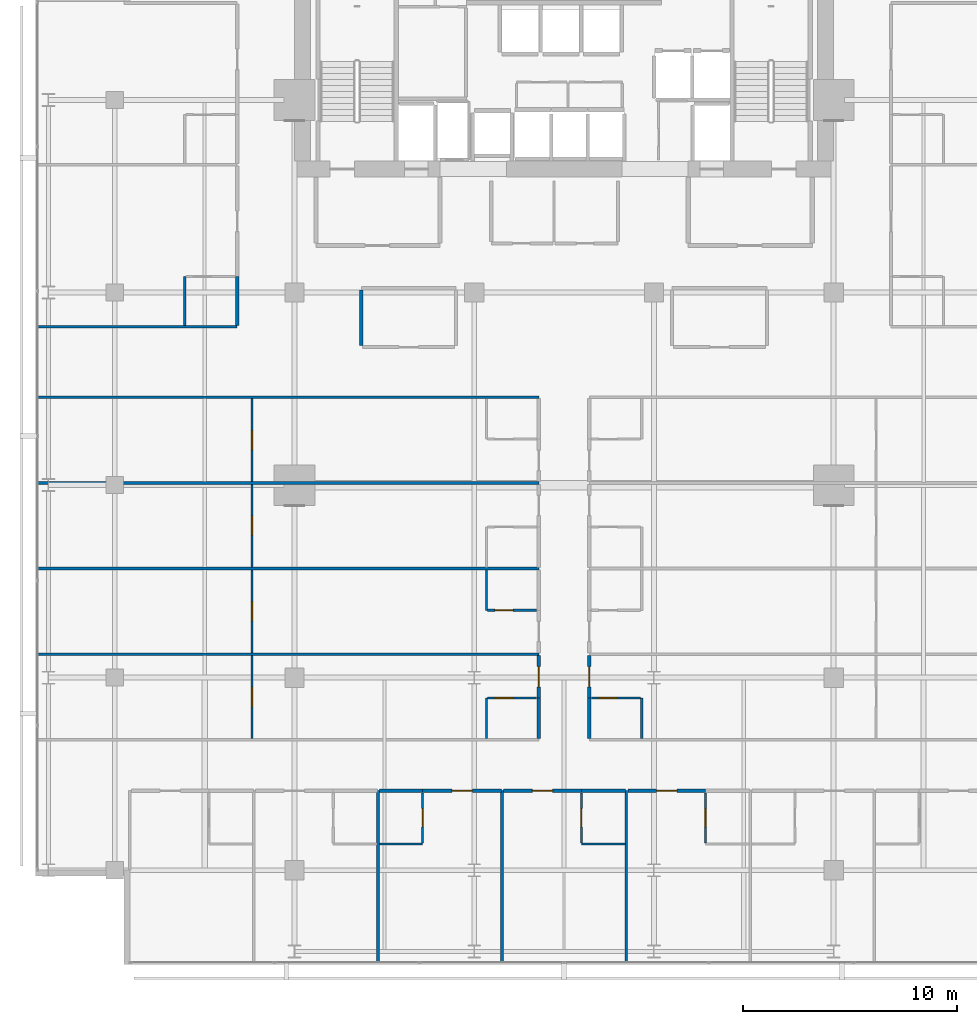
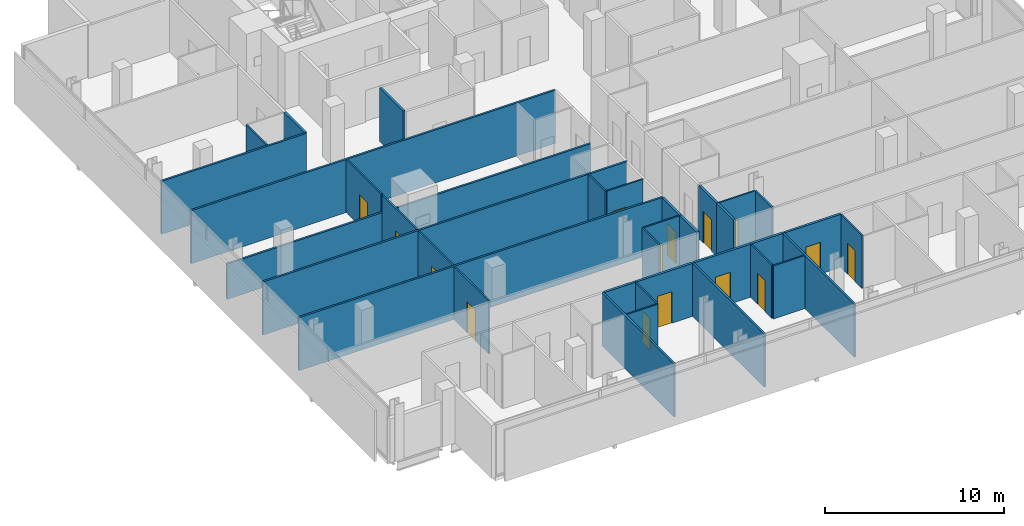
# One storey, part 27 of 34: 35 walls, 15 doors, 15 openings.
"""IFC4 building model written with IfcOpenShell, lengths in metres."""

import ifcopenshell
import ifcopenshell.guid

model = None  # the IFC model being written
_history = None  # IfcOwnerHistory: only IFC2X3 demands one
_inside = {}  # id of a spatial element -> (the spatial element, [elements in it])
_under = {}  # id of a project, library or spatial element -> (it, [spatial elements below it])
_declared = {}  # id of a project -> (the project, [libraries it declares])
_typed = {}  # id of a type object -> (the type object, [elements of that type])
_made_of = {}  # id of a material, layer set ... -> (it, [elements and type objects made of it])


def new_model(schema):
    """Start an empty IFC model of exactly this schema.

    Asked for "IFC4X3", IfcOpenShell would pick the latest addendum, in which some entities
    have other attributes; the version numbers below select the first issue.
    IFC2X3 requires an IfcOwnerHistory on every rooted entity: one is made here for all.
    """
    global model, _history
    if schema == "IFC4X3":
        model = ifcopenshell.file(schema_version=(4, 3, 0, 0))
    else:
        model = ifcopenshell.file(schema=schema)
    _inside.clear()
    _under.clear()
    _declared.clear()
    _typed.clear()
    _made_of.clear()
    _history = None
    if model.schema == "IFC2X3":
        org = make("IfcOrganization", Name="unknown")
        user = make(
            "IfcPersonAndOrganization",
            ThePerson=make("IfcPerson", FamilyName="unknown"),
            TheOrganization=org,
        )
        app = make(
            "IfcApplication",
            ApplicationDeveloper=org,
            Version="unknown",
            ApplicationFullName="unknown",
            ApplicationIdentifier="unknown",
        )
        _history = make(
            "IfcOwnerHistory",
            OwningUser=user,
            OwningApplication=app,
            ChangeAction="ADDED",
            CreationDate=0,
        )
    return model


def make(cls, **values):
    """One entity of the class cls with the attributes given. An attribute that is None is left unset."""
    return model.create_entity(
        cls, **{name: value for name, value in values.items() if value is not None}
    )


def rooted(cls, **values):
    """An entity with a GlobalId (a new one), such as an element, a storey or a relation."""
    return make(cls, GlobalId=ifcopenshell.guid.new(), OwnerHistory=_history, **values)


def si_unit(unit_type, name, prefix=None):
    """IfcSIUnit, for example si_unit("LENGTHUNIT", "METRE", prefix="MILLI")."""
    return make("IfcSIUnit", UnitType=unit_type, Prefix=prefix, Name=name)


def assignment(units):
    """IfcUnitAssignment: the units of a project."""
    return None if units is None else make("IfcUnitAssignment", Units=units)


def point(xyz):
    """IfcCartesianPoint."""
    return None if xyz is None else make("IfcCartesianPoint", Coordinates=xyz)


def direction(xyz):
    """IfcDirection."""
    return None if xyz is None else make("IfcDirection", DirectionRatios=xyz)


def frame(location, z_axis=None, x_axis=None):
    """IfcAxis2Placement3D, a coordinate frame: its origin and axes. An axis left out is left unset."""
    return make(
        "IfcAxis2Placement3D",
        Location=point(location),
        Axis=direction(z_axis),
        RefDirection=direction(x_axis),
    )


def frame_2d(location, x_axis=None):
    """IfcAxis2Placement2D, a coordinate frame in the plane: its origin and x axis."""
    return make(
        "IfcAxis2Placement2D", Location=point(location), RefDirection=direction(x_axis)
    )


def origin():
    """The frame at (0, 0, 0) with its axes left unset."""
    return frame((0.0, 0.0, 0.0))


def place(relative_to, where):
    """IfcLocalPlacement: puts the frame where relative to a parent placement (None: the world)."""
    return make(
        "IfcLocalPlacement", PlacementRelTo=relative_to, RelativePlacement=where
    )


def context(
    kind, dimensions, precision=None, world=None, true_north=None, identifier=None
):
    """IfcGeometricRepresentationContext, for example the 3D "Model" context."""
    return make(
        "IfcGeometricRepresentationContext",
        ContextIdentifier=identifier,
        ContextType=kind,
        CoordinateSpaceDimension=dimensions,
        Precision=precision,
        WorldCoordinateSystem=world,
        TrueNorth=true_north,
    )


def subcontext(parent, identifier, kind, view, scale=None):
    """IfcGeometricRepresentationSubContext, for example "Body" below "Model"."""
    return make(
        "IfcGeometricRepresentationSubContext",
        ContextIdentifier=identifier,
        ContextType=kind,
        ParentContext=parent,
        TargetScale=scale,
        TargetView=view,
    )


def project(units=None, contexts=None):
    """IfcProject with its units and contexts."""
    return rooted(
        "IfcProject",
        Name="project",
        RepresentationContexts=contexts,
        UnitsInContext=assignment(units),
    )


def spatial(cls, under=None, at=None, **own):
    """A site, building, storey or space (cls), placed at a placement, below another one or the project."""
    s = rooted(cls, ObjectPlacement=at, **own)
    if under is not None:
        _under.setdefault(under.id(), (under, []))[1].append(s)
    return s


def profile(cls, at=None, kind="AREA", **sizes):
    """A parametric profile (cls). Its sizes go by their IFC names, for example OverallWidth=200.0."""
    return make(cls, ProfileType=kind, Position=at, **sizes)


def rectangle(**sizes):
    """IfcRectangleProfileDef."""
    return profile("IfcRectangleProfileDef", **sizes)


def extrude(swept, where, along, depth):
    """IfcExtrudedAreaSolid: the profile swept, set in the frame where, extruded along a direction by depth."""
    return make(
        "IfcExtrudedAreaSolid",
        SweptArea=swept,
        Position=where,
        ExtrudedDirection=direction(along),
        Depth=depth,
    )


def shape(context_of_items, identifier, shape_type, items):
    """IfcShapeRepresentation: the items that make up one representation, for example the "Body"."""
    return make(
        "IfcShapeRepresentation",
        ContextOfItems=context_of_items,
        RepresentationIdentifier=identifier,
        RepresentationType=shape_type,
        Items=items,
    )


def material(Name=None, Category=None):
    """IfcMaterial."""
    return make("IfcMaterial", Name=Name, Category=Category)


def layer(
    of_material, thickness, ventilated=None, Name=None, Category=None, Priority=None
):
    """IfcMaterialLayer: one layer of a wall or slab, of a material (None: an air gap)."""
    return make(
        "IfcMaterialLayer",
        Material=of_material,
        LayerThickness=thickness,
        IsVentilated=ventilated,
        Name=Name,
        Category=Category,
        Priority=Priority,
    )


def layer_set(layers, Name=None):
    """IfcMaterialLayerSet."""
    return make("IfcMaterialLayerSet", MaterialLayers=layers, LayerSetName=Name)


def made_of(thing, what):
    """Note that an element or type object is made of a material, layer set ...; save() writes the relation."""
    if what is not None:
        _made_of.setdefault(what.id(), (what, []))[1].append(thing)
    return thing


def type_object(cls, material=None, **own):
    """A type object (cls), such as IfcWallType, which elements share."""
    return made_of(rooted(cls, **own), material)


def element(
    cls,
    number,
    at=None,
    inside=None,
    cuts=None,
    type_object=None,
    material=None,
    context=None,
    identifier="Body",
    shape_type=None,
    held_by="IfcProductDefinitionShape",
    body=None,
    shapes=None,
    **own,
):
    """One element of the class cls, such as IfcWall. Its Tag is "e" and its number.

    at: its placement. inside: the storey or other place that contains it. cuts: it is an
    opening in that element (IfcRelVoidsElement). A single representation is given by context,
    identifier, shape_type and body (its items); several are given by shapes. held_by: the class
    of the entity that holds the representations. save() writes the other relations.
    """
    e = rooted(cls, Tag="e%d" % number, ObjectPlacement=at, **own)
    if body is not None:
        shapes = [shape(context, identifier, shape_type, body)]
    if shapes is not None:
        e.Representation = make(held_by, Representations=shapes)
    if inside is not None:
        _inside.setdefault(inside.id(), (inside, []))[1].append(e)
    if cuts is not None:
        rooted(
            "IfcRelVoidsElement", RelatingBuildingElement=cuts, RelatedOpeningElement=e
        )
    if type_object is not None:
        _typed.setdefault(type_object.id(), (type_object, []))[1].append(e)
    return made_of(e, material)


def fill(opening, filler):
    """IfcRelFillsElement: the door or window that sits in an opening."""
    return rooted(
        "IfcRelFillsElement",
        RelatingOpeningElement=opening,
        RelatedBuildingElement=filler,
    )


def aggregate(whole, parts):
    """IfcRelAggregates: a whole, such as a stair, and the parts it consists of."""
    return rooted("IfcRelAggregates", RelatingObject=whole, RelatedObjects=parts)


def save(model, path):
    """Write the relations noted so far, then the file.

    IfcRelAggregates (storeys below a building ...), IfcRelContainedInSpatialStructure (elements
    in a storey), IfcRelDefinesByType, IfcRelAssociatesMaterial and IfcRelDeclares: one each for
    every whole, place, type object, material and project.
    """
    for whole, parts in _under.values():
        aggregate(whole, parts)
    for where, things in _inside.values():
        rooted(
            "IfcRelContainedInSpatialStructure",
            RelatedElements=things,
            RelatingStructure=where,
        )
    for kind, things in _typed.values():
        rooted("IfcRelDefinesByType", RelatedObjects=things, RelatingType=kind)
    for what, things in _made_of.values():
        rooted("IfcRelAssociatesMaterial", RelatedObjects=things, RelatingMaterial=what)
    for by, libraries in _declared.values():
        rooted("IfcRelDeclares", RelatingContext=by, RelatedDefinitions=libraries)
    model.write(path)


model = new_model("IFC4")

# Units and contexts
model_context = context("Model", 3, precision=1e-05, world=origin(), true_north=direction((0.0, 1.0)))
body_context = subcontext(model_context, "Body", "Model", "MODEL_VIEW")
ifc_project = project(units=[si_unit("LENGTHUNIT", "METRE"), si_unit("AREAUNIT", "SQUARE_METRE"), si_unit("VOLUMEUNIT", "CUBIC_METRE"), si_unit("PLANEANGLEUNIT", "RADIAN"), si_unit("MASSUNIT", "GRAM", prefix="KILO")], contexts=[model_context])

# Site, building, storey
site_placement = place(None, origin())
site = spatial("IfcSite", under=ifc_project, at=site_placement, CompositionType="ELEMENT")
building_placement = place(site_placement, origin())
building = spatial("IfcBuilding", under=site, at=building_placement, Name="Maruvema Waterfront Hotel and Observation Tower", CompositionType="ELEMENT")
storey_placement = place(building_placement, frame((0.0, 0.0, 135.10009765625)))
storey = spatial("IfcBuildingStorey", under=building, at=storey_placement, Name="L32", CompositionType="ELEMENT", Elevation=135.10009765625)

# Walls
ifc_material_1 = material(Name="Twin-stud acoustic gypsum drywall", Category="gypsum")
ifc_layer_1 = layer(ifc_material_1, 0.14990234375, Name="Acoustic Corridor and Suite Demising Wall 150 mm")
ifc_layer_set_1 = layer_set([ifc_layer_1], Name="Twin-stud acoustic gypsum drywall")
wall_type_1 = type_object("IfcWallType", Name="Acoustic Corridor and Suite Demising Wall 150 mm", PredefinedType="PARTITIONING", material=ifc_layer_set_1)
wall_1_placement = place(storey_placement, frame((28.320068359375, 33.530029296875, 0.0), z_axis=(0.0, 0.0, 1.0), x_axis=(0.0, 1.0, 0.0)))
element("IfcWall", 1, at=wall_1_placement, inside=storey, type_object=wall_type_1, Name="L32 L32-M1 West Wall 028", PredefinedType="PARTITIONING", context=body_context, shape_type="SweptSolid", body=[
    extrude(rectangle(XDim=2.590087890625, YDim=0.14990234375, at=frame_2d((1.294921875, 0.0))), origin(), (0.0, 0.0, 1.0), 3.60986328125),
])
wall_2_placement = place(storey_placement, frame((29.179931640625, 12.719970703125, 0.0), z_axis=(0.0, 0.0, 1.0), x_axis=(1.0, 0.0, 0.0)))
element("IfcWall", 2, at=wall_2_placement, inside=storey, type_object=wall_type_1, Name="L32 Bath L32-S3 Back Wall 047", PredefinedType="PARTITIONING", context=body_context, shape_type="SweptSolid", body=[
    extrude(rectangle(XDim=2.010009765625, YDim=0.14990234375, at=frame_2d((1.0048828125, 0.0))), origin(), (0.0, 0.0, 1.0), 3.60986328125),
])

# Wall, opening, door
wall_3_placement = place(storey_placement, frame((31.18994140625, 12.719970703125, 0.0), z_axis=(0.0, 0.0, 1.0), x_axis=(1.0, 0.0, 0.0)))
wall_3 = element("IfcWall", 3, at=wall_3_placement, inside=storey, type_object=wall_type_1, Name="L32 Unit L32-S3 Corridor Wall 050", PredefinedType="PARTITIONING", context=body_context, shape_type="SweptSolid", body=[
    extrude(rectangle(XDim=3.68994140625, YDim=0.14990234375, at=frame_2d((1.844970703125, 0.0))), origin(), (0.0, 0.0, 1.0), 3.60986328125),
])
opening_1_placement = place(wall_3_placement, frame((1.3701171875, 0.0, 0.0)))
opening_1 = element("IfcOpeningElement", 4, at=opening_1_placement, cuts=wall_3, Name="Opening DR-095", PredefinedType="OPENING", context=body_context, shape_type="SweptSolid", body=[
    extrude(rectangle(XDim=0.949951171875, YDim=2.14990234375, at=frame_2d((0.47509765625, 1.074951171875))), frame((0.0, 0.0849609375, 0.0), z_axis=(0.0, -1.0, 0.0), x_axis=(1.0, 0.0, 0.0)), (0.0, 0.0, 1.0), 0.169921875),
])
ifc_material_2 = material(Name="Acoustic solid-core hardwood timber leaf", Category="wood")
door_type_1 = type_object("IfcDoorType", Name="Guestroom Entrance Fire Door 950x2150 mm", OperationType="NOTDEFINED", PredefinedType="DOOR", material=ifc_material_2)
door_1_placement = place(opening_1_placement, frame((0.949951171875, 0.0, 0.0), z_axis=(0.0, 0.0, 1.0), x_axis=(-1.0, 0.0, 0.0)))
door_1 = element("IfcDoor", 5, at=door_1_placement, inside=storey, type_object=door_type_1, Name="L32 Unit L32-S3 Entrance Door", OperationType="SINGLE_SWING_RIGHT", OverallHeight=2.14990234375, OverallWidth=0.949951171875, PredefinedType="DOOR", context=body_context, shape_type="SweptSolid", body=[
    extrude(rectangle(XDim=0.949951171875, YDim=2.14990234375, at=frame_2d((0.47509765625, 1.074951171875))), frame((0.0, 0.02490234375, 0.0), z_axis=(0.0, -1.0, 0.0), x_axis=(1.0, 0.0, 0.0)), (0.0, 0.0, 1.0), 0.050048828125),
])
fill(opening_1, door_1)

# Wall
wall_4_placement = place(storey_placement, frame((38.610107421875, 12.719970703125, 0.0), z_axis=(0.0, 0.0, 1.0), x_axis=(1.0, 0.0, 0.0)))
element("IfcWall", 6, at=wall_4_placement, inside=storey, type_object=wall_type_1, Name="L32 Bath L32-S4 Back Wall 052", PredefinedType="PARTITIONING", context=body_context, shape_type="SweptSolid", body=[
    extrude(rectangle(XDim=2.06982421875, YDim=0.14990234375, at=frame_2d((1.034912109375, 0.0))), origin(), (0.0, 0.0, 1.0), 3.60986328125),
])

# Wall, opening, door
wall_5_placement = place(storey_placement, frame((34.97998046875, 12.719970703125, 0.0), z_axis=(0.0, 0.0, 1.0), x_axis=(1.0, 0.0, 0.0)))
wall_5 = element("IfcWall", 7, at=wall_5_placement, inside=storey, type_object=wall_type_1, Name="L32 Unit L32-S4 Corridor Wall 055", PredefinedType="PARTITIONING", context=body_context, shape_type="SweptSolid", body=[
    extrude(rectangle(XDim=3.630126953125, YDim=0.14990234375, at=frame_2d((1.81494140625, 0.0))), origin(), (0.0, 0.0, 1.0), 3.60986328125),
])
opening_2_placement = place(wall_5_placement, frame((1.340087890625, 0.0, 0.0)))
opening_2 = element("IfcOpeningElement", 8, at=opening_2_placement, cuts=wall_5, Name="Opening DR-095", PredefinedType="OPENING", context=body_context, shape_type="SweptSolid", body=[
    extrude(rectangle(XDim=0.949951171875, YDim=2.14990234375, at=frame_2d((0.47509765625, 1.074951171875))), frame((0.0, 0.0849609375, 0.0), z_axis=(0.0, -1.0, 0.0), x_axis=(1.0, 0.0, 0.0)), (0.0, 0.0, 1.0), 0.169921875),
])
door_2_placement = place(opening_2_placement, frame((0.949951171875, 0.0, 0.0), z_axis=(0.0, 0.0, 1.0), x_axis=(-1.0, 0.0, 0.0)))
door_2 = element("IfcDoor", 9, at=door_2_placement, inside=storey, type_object=door_type_1, Name="L32 Unit L32-S4 Entrance Door", OperationType="SINGLE_SWING_RIGHT", OverallHeight=2.14990234375, OverallWidth=0.949951171875, PredefinedType="DOOR", context=body_context, shape_type="SweptSolid", body=[
    extrude(rectangle(XDim=0.949951171875, YDim=2.14990234375, at=frame_2d((0.47509765625, 1.074951171875))), frame((0.0, 0.02490234375, 0.0), z_axis=(0.0, -1.0, 0.0), x_axis=(1.0, 0.0, 0.0)), (0.0, 0.0, 1.0), 0.050048828125),
])
fill(opening_2, door_2)

wall_6_placement = place(storey_placement, frame((40.780029296875, 12.719970703125, 0.0), z_axis=(0.0, 0.0, 1.0), x_axis=(1.0, 0.0, 0.0)))
wall_6 = element("IfcWall", 10, at=wall_6_placement, inside=storey, type_object=wall_type_1, Name="L32 Unit L32-S5 Corridor Wall 060", PredefinedType="PARTITIONING", context=body_context, shape_type="SweptSolid", body=[
    extrude(rectangle(XDim=3.6298828125, YDim=0.14990234375, at=frame_2d((1.81494140625, 0.0))), origin(), (0.0, 0.0, 1.0), 3.60986328125),
])
opening_3_placement = place(wall_6_placement, frame((1.340087890625, 0.0, 0.0)))
opening_3 = element("IfcOpeningElement", 11, at=opening_3_placement, cuts=wall_6, Name="Opening DR-095", PredefinedType="OPENING", context=body_context, shape_type="SweptSolid", body=[
    extrude(rectangle(XDim=0.949951171875, YDim=2.14990234375, at=frame_2d((0.47509765625, 1.074951171875))), frame((0.0, 0.0849609375, 0.0), z_axis=(0.0, -1.0, 0.0), x_axis=(1.0, 0.0, 0.0)), (0.0, 0.0, 1.0), 0.169921875),
])
door_3_placement = place(opening_3_placement, frame((0.949951171875, 0.0, 0.0), z_axis=(0.0, 0.0, 1.0), x_axis=(-1.0, 0.0, 0.0)))
door_3 = element("IfcDoor", 12, at=door_3_placement, inside=storey, type_object=door_type_1, Name="L32 Unit L32-S5 Entrance Door", OperationType="SINGLE_SWING_RIGHT", OverallHeight=2.14990234375, OverallWidth=0.949951171875, PredefinedType="DOOR", context=body_context, shape_type="SweptSolid", body=[
    extrude(rectangle(XDim=0.949951171875, YDim=2.14990234375, at=frame_2d((0.47509765625, 1.074951171875))), frame((0.0, 0.02490234375, 0.0), z_axis=(0.0, -1.0, 0.0), x_axis=(1.0, 0.0, 0.0)), (0.0, 0.0, 1.0), 0.050048828125),
])
fill(opening_3, door_3)

# Wall
wall_7_placement = place(storey_placement, frame((36.6201171875, 15.159912109375, 0.0), z_axis=(0.0, 0.0, 1.0), x_axis=(0.0, 1.0, 0.0)))
element("IfcWall", 13, at=wall_7_placement, inside=storey, type_object=wall_type_1, Name="L32 Bath L32-W1 Wall 075", PredefinedType="PARTITIONING", context=body_context, shape_type="SweptSolid", body=[
    extrude(rectangle(XDim=1.89013671875, YDim=0.14990234375, at=frame_2d((0.945068359375, 0.0))), origin(), (0.0, 0.0, 1.0), 3.60986328125),
])

# Wall, opening, door
wall_8_placement = place(storey_placement, frame((36.6201171875, 17.050048828125, 0.0), z_axis=(0.0, 0.0, 1.0), x_axis=(0.0, 1.0, 0.0)))
wall_8 = element("IfcWall", 14, at=wall_8_placement, inside=storey, type_object=wall_type_1, Name="L32 Room L32-W1 Corridor Wall 076", PredefinedType="PARTITIONING", context=body_context, shape_type="SweptSolid", body=[
    extrude(rectangle(XDim=1.989990234375, YDim=0.14990234375, at=frame_2d((0.9951171875, 0.0))), origin(), (0.0, 0.0, 1.0), 3.60986328125),
])
opening_4_placement = place(wall_8_placement, frame((0.52001953125, 0.0, 0.0)))
opening_4 = element("IfcOpeningElement", 15, at=opening_4_placement, cuts=wall_8, Name="Opening DR-095", PredefinedType="OPENING", context=body_context, shape_type="SweptSolid", body=[
    extrude(rectangle(XDim=0.949951171875, YDim=2.14990234375, at=frame_2d((0.47509765625, 1.074951171875))), frame((0.0, 0.0849609375, 0.0), z_axis=(0.0, -1.0, 0.0), x_axis=(1.0, 0.0, 0.0)), (0.0, 0.0, 1.0), 0.169921875),
])
door_4_placement = place(opening_4_placement, origin())
door_4 = element("IfcDoor", 16, at=door_4_placement, inside=storey, type_object=door_type_1, Name="L32 Room L32-W1 Entrance Door", OperationType="SINGLE_SWING_RIGHT", OverallHeight=2.14990234375, OverallWidth=0.949951171875, PredefinedType="DOOR", context=body_context, shape_type="SweptSolid", body=[
    extrude(rectangle(XDim=0.949951171875, YDim=2.14990234375, at=frame_2d((0.47509765625, 1.074951171875))), frame((0.0, 0.02490234375, 0.0), z_axis=(0.0, -1.0, 0.0), x_axis=(1.0, 0.0, 0.0)), (0.0, 0.0, 1.0), 0.050048828125),
])
fill(opening_4, door_4)

# Wall
wall_9_placement = place(storey_placement, frame((38.97998046875, 15.159912109375, 0.0), z_axis=(0.0, 0.0, 1.0), x_axis=(0.0, 1.0, 0.0)))
element("IfcWall", 17, at=wall_9_placement, inside=storey, type_object=wall_type_1, Name="L32 Bath L32-E1 Wall 080", PredefinedType="PARTITIONING", context=body_context, shape_type="SweptSolid", body=[
    extrude(rectangle(XDim=1.89013671875, YDim=0.14990234375, at=frame_2d((0.945068359375, 0.0))), origin(), (0.0, 0.0, 1.0), 3.60986328125),
])

# Wall, opening, door
wall_10_placement = place(storey_placement, frame((38.97998046875, 17.050048828125, 0.0), z_axis=(0.0, 0.0, 1.0), x_axis=(0.0, 1.0, 0.0)))
wall_10 = element("IfcWall", 18, at=wall_10_placement, inside=storey, type_object=wall_type_1, Name="L32 Room L32-E1 Corridor Wall 081", PredefinedType="PARTITIONING", context=body_context, shape_type="SweptSolid", body=[
    extrude(rectangle(XDim=1.989990234375, YDim=0.14990234375, at=frame_2d((0.9951171875, 0.0))), origin(), (0.0, 0.0, 1.0), 3.60986328125),
])
opening_5_placement = place(wall_10_placement, frame((0.52001953125, 0.0, 0.0)))
opening_5 = element("IfcOpeningElement", 19, at=opening_5_placement, cuts=wall_10, Name="Opening DR-095", PredefinedType="OPENING", context=body_context, shape_type="SweptSolid", body=[
    extrude(rectangle(XDim=0.949951171875, YDim=2.14990234375, at=frame_2d((0.47509765625, 1.074951171875))), frame((0.0, 0.0849609375, 0.0), z_axis=(0.0, -1.0, 0.0), x_axis=(1.0, 0.0, 0.0)), (0.0, 0.0, 1.0), 0.169921875),
])
door_5_placement = place(opening_5_placement, frame((0.949951171875, 0.0, 0.0), z_axis=(0.0, 0.0, 1.0), x_axis=(-1.0, 0.0, 0.0)))
door_5 = element("IfcDoor", 20, at=door_5_placement, inside=storey, type_object=door_type_1, Name="L32 Room L32-E1 Entrance Door", OperationType="SINGLE_SWING_LEFT", OverallHeight=2.14990234375, OverallWidth=0.949951171875, PredefinedType="DOOR", context=body_context, shape_type="SweptSolid", body=[
    extrude(rectangle(XDim=0.949951171875, YDim=2.14990234375, at=frame_2d((0.47509765625, 1.074951171875))), frame((0.0, 0.02490234375, 0.0), z_axis=(0.0, -1.0, 0.0), x_axis=(1.0, 0.0, 0.0)), (0.0, 0.0, 1.0), 0.050048828125),
])
fill(opening_5, door_5)

# Walls
wall_11_placement = place(storey_placement, frame((22.52001953125, 34.4599609375, 0.0), z_axis=(0.0, 0.0, 1.0), x_axis=(0.0, 1.0, 0.0)))
element("IfcWall", 21, at=wall_11_placement, inside=storey, type_object=wall_type_1, Name="L32 Bath L32-NW1 Wall 125", PredefinedType="PARTITIONING", context=body_context, shape_type="SweptSolid", body=[
    extrude(rectangle(XDim=2.2900390625, YDim=0.14990234375, at=frame_2d((1.14501953125, 0.0))), origin(), (0.0, 0.0, 1.0), 3.60986328125),
])
ifc_material_3 = material(Name="Moisture-resistant cement-board drywall", Category="gypsum")
ifc_layer_2 = layer(ifc_material_3, 0.10009765625, Name="En-Suite Moisture-Resistant Partition 100 mm")
ifc_layer_set_2 = layer_set([ifc_layer_2], Name="Moisture-resistant cement-board drywall")
wall_type_2 = type_object("IfcWallType", Name="En-Suite Moisture-Resistant Partition 100 mm", PredefinedType="PARTITIONING", material=ifc_layer_set_2)
wall_12_placement = place(storey_placement, frame((29.179931640625, 10.219970703125, 0.0), z_axis=(0.0, 0.0, 1.0), x_axis=(1.0, 0.0, 0.0)))
element("IfcWall", 22, at=wall_12_placement, inside=storey, type_object=wall_type_2, Name="L32 En-Suite L32-S3 South 048", PredefinedType="PARTITIONING", context=body_context, shape_type="SweptSolid", body=[
    extrude(rectangle(XDim=2.010009765625, YDim=0.10009765625, at=frame_2d((1.0048828125, 0.0))), origin(), (0.0, 0.0, 1.0), 3.60986328125),
])

# Wall, opening, door
wall_13_placement = place(storey_placement, frame((31.18994140625, 10.280029296875, 0.0), z_axis=(0.0, 0.0, 1.0), x_axis=(0.0, 1.0, 0.0)))
wall_13 = element("IfcWall", 23, at=wall_13_placement, inside=storey, type_object=wall_type_2, Name="L32 En-Suite L32-S3 East 049", PredefinedType="PARTITIONING", context=body_context, shape_type="SweptSolid", body=[
    extrude(rectangle(XDim=2.340087890625, YDim=0.10009765625, at=frame_2d((1.169921875, 0.0))), origin(), (0.0, 0.0, 1.0), 3.60986328125),
])
opening_6_placement = place(wall_13_placement, frame((0.7451171875, 0.0, 0.0)))
opening_6 = element("IfcOpeningElement", 24, at=opening_6_placement, cuts=wall_13, Name="Opening DR-085", PredefinedType="OPENING", context=body_context, shape_type="SweptSolid", body=[
    extrude(rectangle(XDim=0.85009765625, YDim=2.10009765625, at=frame_2d((0.425048828125, 1.050048828125))), frame((0.0, 0.06005859375, 0.0), z_axis=(0.0, -1.0, 0.0), x_axis=(1.0, 0.0, 0.0)), (0.0, 0.0, 1.0), 0.1201171875),
])
ifc_material_4 = material(Name="Moisture-resistant solid timber leaf", Category="wood")
door_type_2 = type_object("IfcDoorType", Name="En-Suite Bathroom Door 850x2100 mm", OperationType="NOTDEFINED", PredefinedType="DOOR", material=ifc_material_4)
door_6_placement = place(opening_6_placement, frame((0.85009765625, 0.0, 0.0), z_axis=(0.0, 0.0, 1.0), x_axis=(-1.0, 0.0, 0.0)))
door_6 = element("IfcDoor", 25, at=door_6_placement, inside=storey, type_object=door_type_2, Name="L32 En-Suite L32-S3 Door", OperationType="SINGLE_SWING_LEFT", OverallHeight=2.10009765625, OverallWidth=0.85009765625, PredefinedType="DOOR", context=body_context, shape_type="SweptSolid", body=[
    extrude(rectangle(XDim=0.85009765625, YDim=2.10009765625, at=frame_2d((0.425048828125, 1.050048828125))), frame((0.0, 0.02490234375, 0.0), z_axis=(0.0, -1.0, 0.0), x_axis=(1.0, 0.0, 0.0)), (0.0, 0.0, 1.0), 0.050048828125),
])
fill(opening_6, door_6)

# Wall
wall_14_placement = place(storey_placement, frame((38.610107421875, 10.219970703125, 0.0), z_axis=(0.0, 0.0, 1.0), x_axis=(1.0, 0.0, 0.0)))
element("IfcWall", 26, at=wall_14_placement, inside=storey, type_object=wall_type_2, Name="L32 En-Suite L32-S4 South 053", PredefinedType="PARTITIONING", context=body_context, shape_type="SweptSolid", body=[
    extrude(rectangle(XDim=2.0498046875, YDim=0.10009765625, at=frame_2d((1.02490234375, 0.0))), origin(), (0.0, 0.0, 1.0), 3.60986328125),
])

# Wall, opening, door
wall_15_placement = place(storey_placement, frame((38.610107421875, 10.280029296875, 0.0), z_axis=(0.0, 0.0, 1.0), x_axis=(0.0, 1.0, 0.0)))
wall_15 = element("IfcWall", 27, at=wall_15_placement, inside=storey, type_object=wall_type_2, Name="L32 En-Suite L32-S4 West 054", PredefinedType="PARTITIONING", context=body_context, shape_type="SweptSolid", body=[
    extrude(rectangle(XDim=2.340087890625, YDim=0.10009765625, at=frame_2d((1.169921875, 0.0))), origin(), (0.0, 0.0, 1.0), 3.60986328125),
])
opening_7_placement = place(wall_15_placement, frame((0.7451171875, 0.0, 0.0)))
opening_7 = element("IfcOpeningElement", 28, at=opening_7_placement, cuts=wall_15, Name="Opening DR-085", PredefinedType="OPENING", context=body_context, shape_type="SweptSolid", body=[
    extrude(rectangle(XDim=0.85009765625, YDim=2.10009765625, at=frame_2d((0.425048828125, 1.050048828125))), frame((0.0, 0.06005859375, 0.0), z_axis=(0.0, -1.0, 0.0), x_axis=(1.0, 0.0, 0.0)), (0.0, 0.0, 1.0), 0.1201171875),
])
door_7_placement = place(opening_7_placement, origin())
door_7 = element("IfcDoor", 29, at=door_7_placement, inside=storey, type_object=door_type_2, Name="L32 En-Suite L32-S4 Door", OperationType="SINGLE_SWING_LEFT", OverallHeight=2.10009765625, OverallWidth=0.85009765625, PredefinedType="DOOR", context=body_context, shape_type="SweptSolid", body=[
    extrude(rectangle(XDim=0.85009765625, YDim=2.10009765625, at=frame_2d((0.425048828125, 1.050048828125))), frame((0.0, 0.02490234375, 0.0), z_axis=(0.0, -1.0, 0.0), x_axis=(1.0, 0.0, 0.0)), (0.0, 0.0, 1.0), 0.050048828125),
])
fill(opening_7, door_7)

wall_16_placement = place(storey_placement, frame((44.409912109375, 10.280029296875, 0.0), z_axis=(0.0, 0.0, 1.0), x_axis=(0.0, 1.0, 0.0)))
wall_16 = element("IfcWall", 30, at=wall_16_placement, inside=storey, type_object=wall_type_2, Name="L32 En-Suite L32-S5 West 059", PredefinedType="PARTITIONING", context=body_context, shape_type="SweptSolid", body=[
    extrude(rectangle(XDim=2.340087890625, YDim=0.10009765625, at=frame_2d((1.169921875, 0.0))), origin(), (0.0, 0.0, 1.0), 3.60986328125),
])
opening_8_placement = place(wall_16_placement, frame((0.7451171875, 0.0, 0.0)))
opening_8 = element("IfcOpeningElement", 31, at=opening_8_placement, cuts=wall_16, Name="Opening DR-085", PredefinedType="OPENING", context=body_context, shape_type="SweptSolid", body=[
    extrude(rectangle(XDim=0.85009765625, YDim=2.10009765625, at=frame_2d((0.425048828125, 1.050048828125))), frame((0.0, 0.06005859375, 0.0), z_axis=(0.0, -1.0, 0.0), x_axis=(1.0, 0.0, 0.0)), (0.0, 0.0, 1.0), 0.1201171875),
])
door_8_placement = place(opening_8_placement, origin())
door_8 = element("IfcDoor", 32, at=door_8_placement, inside=storey, type_object=door_type_2, Name="L32 En-Suite L32-S5 Door", OperationType="SINGLE_SWING_LEFT", OverallHeight=2.10009765625, OverallWidth=0.85009765625, PredefinedType="DOOR", context=body_context, shape_type="SweptSolid", body=[
    extrude(rectangle(XDim=0.85009765625, YDim=2.10009765625, at=frame_2d((0.425048828125, 1.050048828125))), frame((0.0, 0.02490234375, 0.0), z_axis=(0.0, -1.0, 0.0), x_axis=(1.0, 0.0, 0.0)), (0.0, 0.0, 1.0), 0.050048828125),
])
fill(opening_8, door_8)

# Wall
wall_17_placement = place(storey_placement, frame((34.169921875, 15.159912109375, 0.0), z_axis=(0.0, 0.0, 1.0), x_axis=(0.0, 1.0, 0.0)))
element("IfcWall", 33, at=wall_17_placement, inside=storey, type_object=wall_type_2, Name="L32 En-Suite L32-W1 W 077", PredefinedType="PARTITIONING", context=body_context, shape_type="SweptSolid", body=[
    extrude(rectangle(XDim=1.89013671875, YDim=0.10009765625, at=frame_2d((0.945068359375, 0.0))), origin(), (0.0, 0.0, 1.0), 3.60986328125),
])

# Wall, opening, door
wall_18_placement = place(storey_placement, frame((34.219970703125, 17.050048828125, 0.0), z_axis=(0.0, 0.0, 1.0), x_axis=(1.0, 0.0, 0.0)))
wall_18 = element("IfcWall", 34, at=wall_18_placement, inside=storey, type_object=wall_type_2, Name="L32 En-Suite L32-W1 N 078", PredefinedType="PARTITIONING", context=body_context, shape_type="SweptSolid", body=[
    extrude(rectangle(XDim=2.300048828125, YDim=0.10009765625, at=frame_2d((1.14990234375, 0.0))), origin(), (0.0, 0.0, 1.0), 3.60986328125),
])
opening_9_placement = place(wall_18_placement, frame((0.35009765625, 0.0, 0.0)))
opening_9 = element("IfcOpeningElement", 35, at=opening_9_placement, cuts=wall_18, Name="Opening DR-085", PredefinedType="OPENING", context=body_context, shape_type="SweptSolid", body=[
    extrude(rectangle(XDim=0.85009765625, YDim=2.10009765625, at=frame_2d((0.425048828125, 1.050048828125))), frame((0.0, 0.06005859375, 0.0), z_axis=(0.0, -1.0, 0.0), x_axis=(1.0, 0.0, 0.0)), (0.0, 0.0, 1.0), 0.1201171875),
])
door_9_placement = place(opening_9_placement, origin())
door_9 = element("IfcDoor", 36, at=door_9_placement, inside=storey, type_object=door_type_2, Name="L32 En-Suite L32-W1 Door", OperationType="SINGLE_SWING_LEFT", OverallHeight=2.10009765625, OverallWidth=0.85009765625, PredefinedType="DOOR", context=body_context, shape_type="SweptSolid", body=[
    extrude(rectangle(XDim=0.85009765625, YDim=2.10009765625, at=frame_2d((0.425048828125, 1.050048828125))), frame((0.0, 0.02490234375, 0.0), z_axis=(0.0, -1.0, 0.0), x_axis=(1.0, 0.0, 0.0)), (0.0, 0.0, 1.0), 0.050048828125),
])
fill(opening_9, door_9)

wall_19_placement = place(storey_placement, frame((23.213623046875, 15.159912109375, 0.0), z_axis=(0.0, 0.0, 1.0), x_axis=(0.0, 1.0, 0.0)))
wall_19 = element("IfcWall", 37, at=wall_19_placement, inside=storey, type_object=wall_type_2, Name="L32 Suite L32-W1 Split 079", PredefinedType="PARTITIONING", context=body_context, shape_type="SweptSolid", body=[
    extrude(rectangle(XDim=3.880126953125, YDim=0.10009765625, at=frame_2d((1.93994140625, 0.0))), origin(), (0.0, 0.0, 1.0), 3.60986328125),
])
opening_10_placement = place(wall_19_placement, frame((1.489990234375, 0.0, 0.0)))
opening_10 = element("IfcOpeningElement", 38, at=opening_10_placement, cuts=wall_19, Name="Opening DR-090", PredefinedType="OPENING", context=body_context, shape_type="SweptSolid", body=[
    extrude(rectangle(XDim=0.89990234375, YDim=2.10009765625, at=frame_2d((0.449951171875, 1.050048828125))), frame((0.0, 0.06005859375, 0.0), z_axis=(0.0, -1.0, 0.0), x_axis=(1.0, 0.0, 0.0)), (0.0, 0.0, 1.0), 0.1201171875),
])
ifc_material_5 = material(Name="Solid-core lacquered timber leaf", Category="wood")
door_type_3 = type_object("IfcDoorType", Name="Accessible Toilet and Room Door 900x2100 mm", OperationType="NOTDEFINED", PredefinedType="DOOR", material=ifc_material_5)
door_10_placement = place(opening_10_placement, origin())
door_10 = element("IfcDoor", 39, at=door_10_placement, inside=storey, type_object=door_type_3, Name="L32 Suite L32-W1 Bedroom Door", OperationType="SINGLE_SWING_LEFT", OverallHeight=2.10009765625, OverallWidth=0.89990234375, PredefinedType="DOOR", context=body_context, shape_type="SweptSolid", body=[
    extrude(rectangle(XDim=0.89990234375, YDim=2.10009765625, at=frame_2d((0.449951171875, 1.050048828125))), frame((0.0, 0.02490234375, 0.0), z_axis=(0.0, -1.0, 0.0), x_axis=(1.0, 0.0, 0.0)), (0.0, 0.0, 1.0), 0.050048828125),
])
fill(opening_10, door_10)

# Wall
wall_20_placement = place(storey_placement, frame((41.429931640625, 15.159912109375, 0.0), z_axis=(0.0, 0.0, 1.0), x_axis=(0.0, 1.0, 0.0)))
element("IfcWall", 40, at=wall_20_placement, inside=storey, type_object=wall_type_2, Name="L32 En-Suite L32-E1 E 082", PredefinedType="PARTITIONING", context=body_context, shape_type="SweptSolid", body=[
    extrude(rectangle(XDim=1.89013671875, YDim=0.10009765625, at=frame_2d((0.945068359375, 0.0))), origin(), (0.0, 0.0, 1.0), 3.60986328125),
])

# Wall, opening, door
wall_21_placement = place(storey_placement, frame((39.080078125, 17.050048828125, 0.0), z_axis=(0.0, 0.0, 1.0), x_axis=(1.0, 0.0, 0.0)))
wall_21 = element("IfcWall", 41, at=wall_21_placement, inside=storey, type_object=wall_type_2, Name="L32 En-Suite L32-E1 N 083", PredefinedType="PARTITIONING", context=body_context, shape_type="SweptSolid", body=[
    extrude(rectangle(XDim=2.2998046875, YDim=0.10009765625, at=frame_2d((1.14990234375, 0.0))), origin(), (0.0, 0.0, 1.0), 3.60986328125),
])
opening_11_placement = place(wall_21_placement, frame((0.35009765625, 0.0, 0.0)))
opening_11 = element("IfcOpeningElement", 42, at=opening_11_placement, cuts=wall_21, Name="Opening DR-085", PredefinedType="OPENING", context=body_context, shape_type="SweptSolid", body=[
    extrude(rectangle(XDim=0.85009765625, YDim=2.10009765625, at=frame_2d((0.425048828125, 1.050048828125))), frame((0.0, 0.06005859375, 0.0), z_axis=(0.0, -1.0, 0.0), x_axis=(1.0, 0.0, 0.0)), (0.0, 0.0, 1.0), 0.1201171875),
])
door_11_placement = place(opening_11_placement, origin())
door_11 = element("IfcDoor", 43, at=door_11_placement, inside=storey, type_object=door_type_2, Name="L32 En-Suite L32-E1 Door", OperationType="SINGLE_SWING_RIGHT", OverallHeight=2.10009765625, OverallWidth=0.85009765625, PredefinedType="DOOR", context=body_context, shape_type="SweptSolid", body=[
    extrude(rectangle(XDim=0.85009765625, YDim=2.10009765625, at=frame_2d((0.425048828125, 1.050048828125))), frame((0.0, 0.02490234375, 0.0), z_axis=(0.0, -1.0, 0.0), x_axis=(1.0, 0.0, 0.0)), (0.0, 0.0, 1.0), 0.050048828125),
])
fill(opening_11, door_11)

# Wall
wall_22_placement = place(storey_placement, frame((34.169921875, 21.14990234375, 0.0), z_axis=(0.0, 0.0, 1.0), x_axis=(0.0, 1.0, 0.0)))
element("IfcWall", 44, at=wall_22_placement, inside=storey, type_object=wall_type_2, Name="L32 En-Suite L32-W2 W 089", PredefinedType="PARTITIONING", context=body_context, shape_type="SweptSolid", body=[
    extrude(rectangle(XDim=1.89013671875, YDim=0.10009765625, at=frame_2d((0.945068359375, 0.0))), origin(), (0.0, 0.0, 1.0), 3.60986328125),
])

# Wall, opening, door
wall_23_placement = place(storey_placement, frame((34.219970703125, 21.14990234375, 0.0), z_axis=(0.0, 0.0, 1.0), x_axis=(1.0, 0.0, 0.0)))
wall_23 = element("IfcWall", 45, at=wall_23_placement, inside=storey, type_object=wall_type_2, Name="L32 En-Suite L32-W2 S 090", PredefinedType="PARTITIONING", context=body_context, shape_type="SweptSolid", body=[
    extrude(rectangle(XDim=2.300048828125, YDim=0.10009765625, at=frame_2d((1.14990234375, 0.0))), origin(), (0.0, 0.0, 1.0), 3.60986328125),
])
opening_12_placement = place(wall_23_placement, frame((0.35009765625, 0.0, 0.0)))
opening_12 = element("IfcOpeningElement", 46, at=opening_12_placement, cuts=wall_23, Name="Opening DR-085", PredefinedType="OPENING", context=body_context, shape_type="SweptSolid", body=[
    extrude(rectangle(XDim=0.85009765625, YDim=2.10009765625, at=frame_2d((0.425048828125, 1.050048828125))), frame((0.0, 0.06005859375, 0.0), z_axis=(0.0, -1.0, 0.0), x_axis=(1.0, 0.0, 0.0)), (0.0, 0.0, 1.0), 0.1201171875),
])
door_12_placement = place(opening_12_placement, frame((0.85009765625, 0.0, 0.0), z_axis=(0.0, 0.0, 1.0), x_axis=(-1.0, 0.0, 0.0)))
door_12 = element("IfcDoor", 47, at=door_12_placement, inside=storey, type_object=door_type_2, Name="L32 En-Suite L32-W2 Door", OperationType="SINGLE_SWING_LEFT", OverallHeight=2.10009765625, OverallWidth=0.85009765625, PredefinedType="DOOR", context=body_context, shape_type="SweptSolid", body=[
    extrude(rectangle(XDim=0.85009765625, YDim=2.10009765625, at=frame_2d((0.425048828125, 1.050048828125))), frame((0.0, 0.02490234375, 0.0), z_axis=(0.0, -1.0, 0.0), x_axis=(1.0, 0.0, 0.0)), (0.0, 0.0, 1.0), 0.050048828125),
])
fill(opening_12, door_12)

wall_24_placement = place(storey_placement, frame((23.213623046875, 19.159912109375, 0.0), z_axis=(0.0, 0.0, 1.0), x_axis=(0.0, 1.0, 0.0)))
wall_24 = element("IfcWall", 48, at=wall_24_placement, inside=storey, type_object=wall_type_2, Name="L32 Suite L32-W2 Split 091", PredefinedType="PARTITIONING", context=body_context, shape_type="SweptSolid", body=[
    extrude(rectangle(XDim=3.880126953125, YDim=0.10009765625, at=frame_2d((1.93994140625, 0.0))), origin(), (0.0, 0.0, 1.0), 3.60986328125),
])
opening_13_placement = place(wall_24_placement, frame((1.489990234375, 0.0, 0.0)))
opening_13 = element("IfcOpeningElement", 49, at=opening_13_placement, cuts=wall_24, Name="Opening DR-090", PredefinedType="OPENING", context=body_context, shape_type="SweptSolid", body=[
    extrude(rectangle(XDim=0.89990234375, YDim=2.10009765625, at=frame_2d((0.449951171875, 1.050048828125))), frame((0.0, 0.06005859375, 0.0), z_axis=(0.0, -1.0, 0.0), x_axis=(1.0, 0.0, 0.0)), (0.0, 0.0, 1.0), 0.1201171875),
])
door_13_placement = place(opening_13_placement, origin())
door_13 = element("IfcDoor", 50, at=door_13_placement, inside=storey, type_object=door_type_3, Name="L32 Suite L32-W2 Bedroom Door", OperationType="SINGLE_SWING_LEFT", OverallHeight=2.10009765625, OverallWidth=0.89990234375, PredefinedType="DOOR", context=body_context, shape_type="SweptSolid", body=[
    extrude(rectangle(XDim=0.89990234375, YDim=2.10009765625, at=frame_2d((0.449951171875, 1.050048828125))), frame((0.0, 0.02490234375, 0.0), z_axis=(0.0, -1.0, 0.0), x_axis=(1.0, 0.0, 0.0)), (0.0, 0.0, 1.0), 0.050048828125),
])
fill(opening_13, door_13)

wall_25_placement = place(storey_placement, frame((23.213623046875, 23.159912109375, 0.0), z_axis=(0.0, 0.0, 1.0), x_axis=(0.0, 1.0, 0.0)))
wall_25 = element("IfcWall", 51, at=wall_25_placement, inside=storey, type_object=wall_type_2, Name="L32 Suite L32-W3 Split 103", PredefinedType="PARTITIONING", context=body_context, shape_type="SweptSolid", body=[
    extrude(rectangle(XDim=3.880126953125, YDim=0.10009765625, at=frame_2d((1.93994140625, 0.0))), origin(), (0.0, 0.0, 1.0), 3.60986328125),
])
opening_14_placement = place(wall_25_placement, frame((1.489990234375, 0.0, 0.0)))
opening_14 = element("IfcOpeningElement", 52, at=opening_14_placement, cuts=wall_25, Name="Opening DR-090", PredefinedType="OPENING", context=body_context, shape_type="SweptSolid", body=[
    extrude(rectangle(XDim=0.89990234375, YDim=2.10009765625, at=frame_2d((0.449951171875, 1.050048828125))), frame((0.0, 0.06005859375, 0.0), z_axis=(0.0, -1.0, 0.0), x_axis=(1.0, 0.0, 0.0)), (0.0, 0.0, 1.0), 0.1201171875),
])
door_14_placement = place(opening_14_placement, origin())
door_14 = element("IfcDoor", 53, at=door_14_placement, inside=storey, type_object=door_type_3, Name="L32 Suite L32-W3 Bedroom Door", OperationType="SINGLE_SWING_LEFT", OverallHeight=2.10009765625, OverallWidth=0.89990234375, PredefinedType="DOOR", context=body_context, shape_type="SweptSolid", body=[
    extrude(rectangle(XDim=0.89990234375, YDim=2.10009765625, at=frame_2d((0.449951171875, 1.050048828125))), frame((0.0, 0.02490234375, 0.0), z_axis=(0.0, -1.0, 0.0), x_axis=(1.0, 0.0, 0.0)), (0.0, 0.0, 1.0), 0.050048828125),
])
fill(opening_14, door_14)

wall_26_placement = place(storey_placement, frame((23.213623046875, 27.159912109375, 0.0), z_axis=(0.0, 0.0, 1.0), x_axis=(0.0, 1.0, 0.0)))
wall_26 = element("IfcWall", 54, at=wall_26_placement, inside=storey, type_object=wall_type_2, Name="L32 Suite L32-W4 Split 115", PredefinedType="PARTITIONING", context=body_context, shape_type="SweptSolid", body=[
    extrude(rectangle(XDim=3.880126953125, YDim=0.10009765625, at=frame_2d((1.93994140625, 0.0))), origin(), (0.0, 0.0, 1.0), 3.60986328125),
])
opening_15_placement = place(wall_26_placement, frame((1.489990234375, 0.0, 0.0)))
opening_15 = element("IfcOpeningElement", 55, at=opening_15_placement, cuts=wall_26, Name="Opening DR-090", PredefinedType="OPENING", context=body_context, shape_type="SweptSolid", body=[
    extrude(rectangle(XDim=0.89990234375, YDim=2.10009765625, at=frame_2d((0.449951171875, 1.050048828125))), frame((0.0, 0.06005859375, 0.0), z_axis=(0.0, -1.0, 0.0), x_axis=(1.0, 0.0, 0.0)), (0.0, 0.0, 1.0), 0.1201171875),
])
door_15_placement = place(opening_15_placement, origin())
door_15 = element("IfcDoor", 56, at=door_15_placement, inside=storey, type_object=door_type_3, Name="L32 Suite L32-W4 Bedroom Door", OperationType="SINGLE_SWING_LEFT", OverallHeight=2.10009765625, OverallWidth=0.89990234375, PredefinedType="DOOR", context=body_context, shape_type="SweptSolid", body=[
    extrude(rectangle(XDim=0.89990234375, YDim=2.10009765625, at=frame_2d((0.449951171875, 1.050048828125))), frame((0.0, 0.02490234375, 0.0), z_axis=(0.0, -1.0, 0.0), x_axis=(1.0, 0.0, 0.0)), (0.0, 0.0, 1.0), 0.050048828125),
])
fill(opening_15, door_15)

# Walls
wall_27_placement = place(storey_placement, frame((20.070068359375, 34.4599609375, 0.0), z_axis=(0.0, 0.0, 1.0), x_axis=(0.0, 1.0, 0.0)))
element("IfcWall", 57, at=wall_27_placement, inside=storey, type_object=wall_type_2, Name="L32 En-Suite L32-NW1 W 127", PredefinedType="PARTITIONING", context=body_context, shape_type="SweptSolid", body=[
    extrude(rectangle(XDim=2.2900390625, YDim=0.10009765625, at=frame_2d((1.14501953125, 0.0))), origin(), (0.0, 0.0, 1.0), 3.60986328125),
])
ifc_material_6 = material(Name="Acoustic gypsum plasterboard drywall", Category="gypsum")
ifc_layer_3 = layer(ifc_material_6, 0.125, Name="Guestroom Acoustic Demising Wall 125 mm")
ifc_layer_set_3 = layer_set([ifc_layer_3], Name="Acoustic gypsum plasterboard drywall")
wall_type_3 = type_object("IfcWallType", Name="Guestroom Acoustic Demising Wall 125 mm", PredefinedType="PARTITIONING", material=ifc_layer_set_3)
for number, where, z_axis, x_axis, name in (
    (58, (29.10009765625, 4.699951171875, 0.0), (0.0, 0.0, 1.0), (0.0, 1.0, 0.0), "L32 Z2 S Demising 3 046"),
    (59, (34.89990234375, 4.699951171875, 0.0), (0.0, 0.0, 1.0), (0.0, 1.0, 0.0), "L32 Z2 S Demising 4 051"),
    (60, (40.699951171875, 4.699951171875, 0.0), (0.0, 0.0, 1.0), (0.0, 1.0, 0.0), "L32 Z2 S Demising 5 056"),
):
    element("IfcWall", number, at=place(storey_placement, frame(where, z_axis=z_axis, x_axis=x_axis)), inside=storey, type_object=wall_type_3, Name=name, PredefinedType="PARTITIONING", context=body_context, shape_type="SweptSolid", body=[
        extrude(rectangle(XDim=8.02001953125, YDim=0.125, at=frame_2d((4.010009765625, 0.0))), origin(), (0.0, 0.0, 1.0), 3.60986328125),
    ])
for number, where, z_axis, x_axis, name in (
    (61, (13.199951171875, 31.10009765625, 0.0), (0.0, 0.0, 1.0), (1.0, 0.0, 0.0), "L32 Z2 W Top End 073"),
    (62, (13.199951171875, 19.10009765625, 0.0), (0.0, 0.0, 1.0), (1.0, 0.0, 0.0), "L32 Z2 W Demising 2 085"),
    (63, (13.199951171875, 23.10009765625, 0.0), (0.0, 0.0, 1.0), (1.0, 0.0, 0.0), "L32 Z2 W Demising 3 097"),
):
    element("IfcWall", number, at=place(storey_placement, frame(where, z_axis=z_axis, x_axis=x_axis)), inside=storey, type_object=wall_type_3, Name=name, PredefinedType="PARTITIONING", context=body_context, shape_type="SweptSolid", body=[
        extrude(rectangle(XDim=23.420166015625, YDim=0.125, at=frame_2d((11.7099609375, 0.0))), origin(), (0.0, 0.0, 1.0), 3.60986328125),
    ])
wall_28_placement = place(storey_placement, frame((13.199951171875, 27.10009765625, 0.0), z_axis=(0.0, 0.0, 1.0), x_axis=(1.0, 0.0, 0.0)))
element("IfcWall", 64, at=wall_28_placement, inside=storey, type_object=wall_type_3, Name="L32 Z2 W Demising 4 109", PredefinedType="PARTITIONING", context=body_context, shape_type="SweptSolid", body=[
    extrude(rectangle(XDim=23.420166015625, YDim=0.125, at=frame_2d((11.7099609375, 0.0))), origin(), (0.0, 0.0, 1.0), 2.409912109375),
])
wall_29_placement = place(storey_placement, frame((13.199951171875, 34.39990234375, 0.0), z_axis=(0.0, 0.0, 1.0), x_axis=(1.0, 0.0, 0.0)))
element("IfcWall", 65, at=wall_29_placement, inside=storey, type_object=wall_type_3, Name="L32 Z2 NW Bot End 121", PredefinedType="PARTITIONING", context=body_context, shape_type="SweptSolid", body=[
    extrude(rectangle(XDim=9.320068359375, YDim=0.125, at=frame_2d((4.66015625, 0.0))), origin(), (0.0, 0.0, 1.0), 3.60986328125),
])

save(model, "model.ifc")
